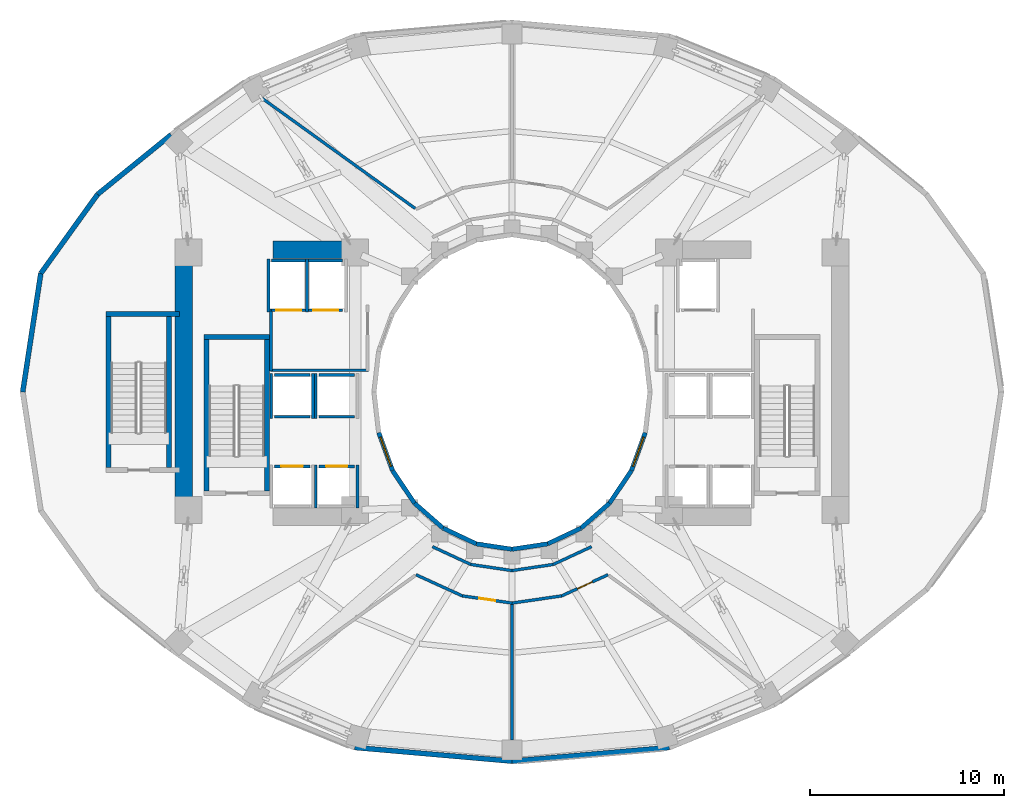
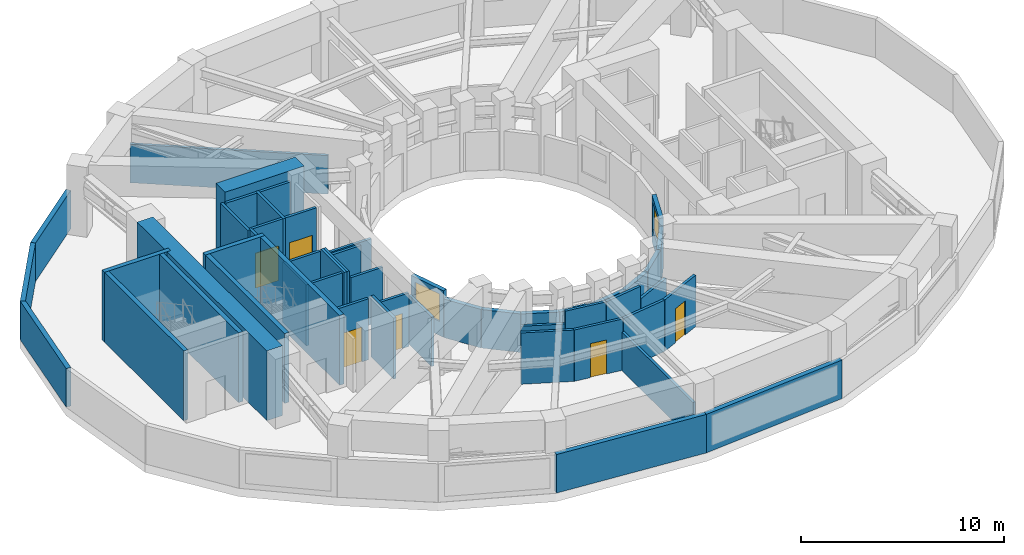
# One storey, part 4 of 10: 52 walls, 6 doors, 2 windows, 8 openings.
"""IFC4 building model written with IfcOpenShell, lengths in metres."""

from ifc_helpers import new_model, si_unit, direction, frame, frame_2d, origin, place, context, subcontext, project, spatial, rectangle, extrude, material, layer, layer_set, type_object, element, fill, save


model = new_model("IFC4")

# Units and contexts
model_context = context("Model", 3, precision=1e-05, world=origin(), true_north=direction((0.0, 1.0)))
body_context = subcontext(model_context, "Body", "Model", "MODEL_VIEW")
ifc_project = project(units=[si_unit("LENGTHUNIT", "METRE"), si_unit("AREAUNIT", "SQUARE_METRE"), si_unit("VOLUMEUNIT", "CUBIC_METRE"), si_unit("PLANEANGLEUNIT", "RADIAN"), si_unit("MASSUNIT", "GRAM", prefix="KILO")], contexts=[model_context])

# Site, building, storey
site_placement = place(None, origin())
site = spatial("IfcSite", under=ifc_project, at=site_placement, CompositionType="ELEMENT")
building_placement = place(site_placement, origin())
building = spatial("IfcBuilding", under=site, at=building_placement, Name="Solvane Sanctuary Tower", CompositionType="ELEMENT")
storey_placement = place(building_placement, frame((0.0, 0.0, 64.800048828125)))
storey = spatial("IfcBuildingStorey", under=building, at=storey_placement, Name="L19", CompositionType="ELEMENT", Elevation=64.800048828125)

# Walls
ifc_material_1 = material(Name="Concrete C70/85", Category="concrete")
ifc_layer_1 = layer(ifc_material_1, 0.89990234375, Name="Concrete C70/85")
ifc_layer_set_1 = layer_set([ifc_layer_1], Name="Concrete C70/85")
wall_type_1 = type_object("IfcWallType", Name="Wall W-CORE-900", PredefinedType="SHEAR", material=ifc_layer_set_1)
wall_1_placement = place(storey_placement, frame((15.050048828125, 17.050048828125, 0.0), z_axis=(0.0, 0.0, 1.0), x_axis=(0.0, 1.0, 0.0)))
element("IfcWall", 1, at=wall_1_placement, inside=storey, type_object=wall_type_1, Name="L19 Core Shear Wall WC-W", PredefinedType="SHEAR", context=body_context, shape_type="SweptSolid", body=[
    extrude(rectangle(XDim=12.800048828125, YDim=0.89990234375, at=frame_2d((6.39990234375, 0.0))), origin(), (0.0, 0.0, 1.0), 4.199951171875),
])
wall_2_placement = place(storey_placement, frame((19.64990234375, 30.35009765625, 0.0), z_axis=(0.0, 0.0, 1.0), x_axis=(1.0, 0.0, 0.0)))
element("IfcWall", 2, at=wall_2_placement, inside=storey, type_object=wall_type_1, Name="L19 Core Shear Wall WC-N", PredefinedType="SHEAR", context=body_context, shape_type="SweptSolid", body=[
    extrude(rectangle(XDim=4.5, YDim=0.89990234375, at=frame_2d((2.25, 0.0))), origin(), (0.0, 0.0, 1.0), 4.199951171875),
])
ifc_material_2 = material(Name="Acoustic Gypsum Partition Board")
ifc_layer_2 = layer(ifc_material_2, 0.14990234375, Name="Acoustic Gypsum Partition Board")
ifc_layer_set_2 = layer_set([ifc_layer_2], Name="Acoustic Gypsum Partition Board")
wall_type_2 = type_object("IfcWallType", Name="Wall W-CORR-150", PredefinedType="PARTITIONING", material=ifc_layer_set_2)
wall_3_placement = place(storey_placement, frame((19.52001953125, 24.1201171875, 0.0), z_axis=(0.0, 0.0, 1.0), x_axis=(1.0, 0.0, 0.0)))
element("IfcWall", 3, at=wall_3_placement, inside=storey, type_object=wall_type_2, Name="L19 West Firefighting Lobby South Wall", PredefinedType="PARTITIONING", context=body_context, shape_type="SweptSolid", body=[
    extrude(rectangle(XDim=5.080078125, YDim=0.14990234375, at=frame_2d((2.5400390625, 0.0))), origin(), (0.0, 0.0, 1.0), 3.219970703125),
])
wall_4_placement = place(storey_placement, frame((19.550048828125, 24.080078125, 0.0), z_axis=(0.0, 0.0, 1.0), x_axis=(0.0, 1.0, 0.0)))
element("IfcWall", 4, at=wall_4_placement, inside=storey, type_object=wall_type_2, Name="L19 West Firefighting Lobby West Wall", PredefinedType="PARTITIONING", context=body_context, shape_type="SweptSolid", body=[
    extrude(rectangle(XDim=3.199951171875, YDim=0.14990234375, at=frame_2d((1.60009765625, 0.0))), origin(), (0.0, 0.0, 1.0), 3.675048828125),
])
wall_5_placement = place(storey_placement, frame((27.889892578125, 15.01513671875, 0.0), z_axis=(0.0, 0.0, 1.0), x_axis=(0.906943449489, -0.421252393975, 0.0)))
element("IfcWall", 5, at=wall_5_placement, inside=storey, type_object=wall_type_2, Name="L19 Light-Well Corridor Rim Wall S1", PredefinedType="PARTITIONING", context=body_context, shape_type="SweptSolid", body=[
    extrude(rectangle(XDim=2.18603515625, YDim=0.14990234375, at=frame_2d((1.093017578125, 0.0))), origin(), (0.0, 0.0, 1.0), 2.320068359375),
])
for number, where, z_axis, x_axis, name in (
    (6, (29.87255859375, 14.09423828125, 0.0), (0.0, 0.0, 1.0), (0.989268584896, -0.146108408166, 0.0), "L19 Light-Well Corridor Rim Wall S2"),
    (7, (32.0, 13.780029296875, 0.0), (0.0, 0.0, 1.0), (0.989268584896, 0.146108408166, 0.0), "L19 Light-Well Corridor Rim Wall S3"),
):
    element("IfcWall", number, at=place(storey_placement, frame(where, z_axis=z_axis, x_axis=x_axis)), inside=storey, type_object=wall_type_2, Name=name, PredefinedType="PARTITIONING", context=body_context, shape_type="SweptSolid", body=[
        extrude(rectangle(XDim=2.150634765625, YDim=0.14990234375, at=frame_2d((1.0751953125, 0.0))), origin(), (0.0, 0.0, 1.0), 3.092041015625),
    ])
wall_6_placement = place(storey_placement, frame((34.12744140625, 14.09423828125, 0.0), z_axis=(0.0, 0.0, 1.0), x_axis=(0.906943449489, 0.421252393975, 0.0)))
element("IfcWall", 8, at=wall_6_placement, inside=storey, type_object=wall_type_2, Name="L19 Light-Well Corridor Rim Wall S4", PredefinedType="PARTITIONING", context=body_context, shape_type="SweptSolid", body=[
    extrude(rectangle(XDim=2.18603515625, YDim=0.14990234375, at=frame_2d((1.093017578125, 0.0))), origin(), (0.0, 0.0, 1.0), 2.320068359375),
])
wall_7_placement = place(storey_placement, frame((27.00537109375, 32.4716796875, 0.0), z_axis=(0.0, 0.0, 1.0), x_axis=(-0.811691742112, 0.584086051697, 0.0)))
element("IfcWall", 9, at=wall_7_placement, inside=storey, type_object=wall_type_2, Name="L19 Mechanical Plant Radial Wall 120", PredefinedType="PARTITIONING", context=body_context, shape_type="SweptSolid", body=[
    extrude(rectangle(XDim=9.824462890625, YDim=0.14990234375, at=frame_2d((4.912109375, 0.0))), origin(), (0.0, 0.0, 1.0), 2.320068359375),
])
wall_8_placement = place(storey_placement, frame((32.0, 12.044921875, 0.0), z_axis=(0.0, 0.0, 1.0), x_axis=(0.0, -1.0, 0.0)))
element("IfcWall", 10, at=wall_8_placement, inside=storey, type_object=wall_type_2, Name="L19 Mechanical Plant Radial Wall 270", PredefinedType="PARTITIONING", context=body_context, shape_type="SweptSolid", body=[
    extrude(rectangle(XDim=7.02001953125, YDim=0.14990234375, at=frame_2d((3.510009765625, 0.0))), origin(), (0.0, 0.0, 1.0), 2.320068359375),
])
wall_9_placement = place(storey_placement, frame((27.0439453125, 13.564208984375, 0.0), z_axis=(0.0, 0.0, 1.0), x_axis=(0.909736731002, -0.415185597373, 0.0)))
element("IfcWall", 11, at=wall_9_placement, inside=storey, type_object=wall_type_2, Name="L19 Plant Corridor Wall 3", PredefinedType="PARTITIONING", context=body_context, shape_type="SweptSolid", body=[
    extrude(rectangle(XDim=2.63330078125, YDim=0.14990234375, at=frame_2d((1.316650390625, 0.0))), origin(), (0.0, 0.0, 1.0), 3.092041015625),
])

# Wall, opening, door
wall_10_placement = place(storey_placement, frame((29.43603515625, 12.471923828125, 0.0), z_axis=(0.0, 0.0, 1.0), x_axis=(0.989701742337, -0.143144895876, 0.0)))
wall_10 = element("IfcWall", 12, at=wall_10_placement, inside=storey, type_object=wall_type_2, Name="L19 Plant Corridor Wall 3", PredefinedType="PARTITIONING", context=body_context, shape_type="SweptSolid", body=[
    extrude(rectangle(XDim=2.59765625, YDim=0.14990234375, at=frame_2d((1.298828125, 0.0))), origin(), (0.0, 0.0, 1.0), 3.092041015625),
])
opening_1_placement = place(wall_10_placement, frame((0.873779296875, 0.0, 0.0)))
opening_1 = element("IfcOpeningElement", 13, at=opening_1_placement, cuts=wall_10, Name="Opening D-L19-08", PredefinedType="OPENING", context=body_context, shape_type="SweptSolid", body=[
    extrude(rectangle(XDim=0.85009765625, YDim=2.050048828125, at=frame_2d((0.425048828125, 1.02490234375))), frame((0.0, 0.0849609375, 0.0), z_axis=(0.0, -1.0, 0.0), x_axis=(1.0, 0.0, 0.0)), (0.0, 0.0, 1.0), 0.169921875),
])
ifc_material_3 = material(Name="Architectural Stainless Steel 316", Category="steel")
door_type_1 = type_object("IfcDoorType", Name="Door D-RISER", OperationType="NOTDEFINED", PredefinedType="DOOR", material=ifc_material_3)
door_1_placement = place(opening_1_placement, origin())
door_1 = element("IfcDoor", 14, at=door_1_placement, inside=storey, type_object=door_type_1, Name="L19 Plant Room Door 3", OperationType="SINGLE_SWING_LEFT", OverallHeight=2.050048828125, OverallWidth=0.85009765625, PredefinedType="DOOR", context=body_context, shape_type="SweptSolid", body=[
    extrude(rectangle(XDim=0.85009765625, YDim=2.050048828125, at=frame_2d((0.425048828125, 1.02490234375))), frame((0.0, 0.02490234375, 0.0), z_axis=(0.0, -1.0, 0.0), x_axis=(1.0, 0.0, 0.0)), (0.0, 0.0, 1.0), 0.050048828125),
])
fill(opening_1, door_1)

# Wall
wall_11_placement = place(storey_placement, frame((31.9931640625, 12.10009765625, 0.0), z_axis=(0.0, 0.0, 1.0), x_axis=(0.989701742337, 0.143144895876, 0.0)))
element("IfcWall", 15, at=wall_11_placement, inside=storey, type_object=wall_type_2, Name="L19 Plant Corridor Wall 4", PredefinedType="PARTITIONING", context=body_context, shape_type="SweptSolid", body=[
    extrude(rectangle(XDim=2.59765625, YDim=0.14990234375, at=frame_2d((1.298828125, 0.0))), origin(), (0.0, 0.0, 1.0), 3.092041015625),
])

# Wall, opening, door
wall_12_placement = place(storey_placement, frame((34.560546875, 12.470947265625, 0.0), z_axis=(0.0, 0.0, 1.0), x_axis=(0.909736731002, 0.415185597373, 0.0)))
wall_12 = element("IfcWall", 16, at=wall_12_placement, inside=storey, type_object=wall_type_2, Name="L19 Plant Corridor Wall 4", PredefinedType="PARTITIONING", context=body_context, shape_type="SweptSolid", body=[
    extrude(rectangle(XDim=2.63330078125, YDim=0.14990234375, at=frame_2d((1.316650390625, 0.0))), origin(), (0.0, 0.0, 1.0), 3.092041015625),
])
opening_2_placement = place(wall_12_placement, frame((0.8916015625, 0.0, 0.0)))
opening_2 = element("IfcOpeningElement", 17, at=opening_2_placement, cuts=wall_12, Name="Opening D-L19-09", PredefinedType="OPENING", context=body_context, shape_type="SweptSolid", body=[
    extrude(rectangle(XDim=0.85009765625, YDim=2.050048828125, at=frame_2d((0.425048828125, 1.02490234375))), frame((0.0, 0.0849609375, 0.0), z_axis=(0.0, -1.0, 0.0), x_axis=(1.0, 0.0, 0.0)), (0.0, 0.0, 1.0), 0.169921875),
])
door_2_placement = place(opening_2_placement, origin())
door_2 = element("IfcDoor", 18, at=door_2_placement, inside=storey, type_object=door_type_1, Name="L19 Plant Room Door 4", OperationType="SINGLE_SWING_RIGHT", OverallHeight=2.050048828125, OverallWidth=0.85009765625, PredefinedType="DOOR", context=body_context, shape_type="SweptSolid", body=[
    extrude(rectangle(XDim=0.85009765625, YDim=2.050048828125, at=frame_2d((0.425048828125, 1.02490234375))), frame((0.0, 0.02490234375, 0.0), z_axis=(0.0, -1.0, 0.0), x_axis=(1.0, 0.0, 0.0)), (0.0, 0.0, 1.0), 0.050048828125),
])
fill(opening_2, door_2)

# Walls
ifc_material_4 = material(Name="Precast concrete C40/50", Category="concrete")
ifc_layer_3 = layer(ifc_material_4, 0.260009765625, Name="Precast concrete C40/50")
ifc_layer_set_3 = layer_set([ifc_layer_3], Name="Precast concrete C40/50")
wall_type_3 = type_object("IfcWallType", Name="Wall W-EXT-250", PredefinedType="STANDARD", material=ifc_layer_set_3)
wall_13_placement = place(storey_placement, frame((14.40087890625, 36.279296875, 0.0), z_axis=(0.0, 0.0, 1.0), x_axis=(-0.777097920144, -0.6293797125, 0.0)))
element("IfcWall", 19, at=wall_13_placement, inside=storey, type_object=wall_type_3, Name="L19 Mechanical Plant Perimeter Wall 09", PredefinedType="STANDARD", context=body_context, shape_type="SweptSolid", body=[
    extrude(rectangle(XDim=4.87548828125, YDim=0.260009765625, at=frame_2d((2.437744140625, 0.0))), origin(), (0.0, 0.0, 1.0), 2.320068359375),
])
wall_14_placement = place(storey_placement, frame((10.612060546875, 33.210693359375, 0.0), z_axis=(0.0, 0.0, 1.0), x_axis=(-0.58386496218, -0.81185079044, 0.0)))
element("IfcWall", 20, at=wall_14_placement, inside=storey, type_object=wall_type_3, Name="L19 Mechanical Plant Perimeter Wall 10", PredefinedType="STANDARD", context=body_context, shape_type="SweptSolid", body=[
    extrude(rectangle(XDim=5.031982421875, YDim=0.260009765625, at=frame_2d((2.51611328125, 0.0))), origin(), (0.0, 0.0, 1.0), 2.320068359375),
])
wall_15_placement = place(storey_placement, frame((7.674072265625, 29.12548828125, 0.0), z_axis=(0.0, 0.0, 1.0), x_axis=(-0.150748389741, -0.988572163775, 0.0)))
element("IfcWall", 21, at=wall_15_placement, inside=storey, type_object=wall_type_3, Name="L19 Mechanical Plant Perimeter Wall 11", PredefinedType="STANDARD", context=body_context, shape_type="SweptSolid", body=[
    extrude(rectangle(XDim=6.1962890625, YDim=0.260009765625, at=frame_2d((3.09814453125, 0.0))), origin(), (0.0, 0.0, 1.0), 2.320068359375),
])
for number, where, z_axis, x_axis, name in (
    (22, (23.882080078125, 4.644775390625, 0.0), (0.0, 0.0, 1.0), (0.996251934676, -0.086499032673, 0.0), "L19 Mechanical Plant Perimeter Wall 17"),
    (23, (32.0, 3.93994140625, 0.0), (0.0, 0.0, 1.0), (0.996251934676, 0.086499032673, 0.0), "L19 Mechanical Plant Perimeter Wall 18"),
):
    element("IfcWall", number, at=place(storey_placement, frame(where, z_axis=z_axis, x_axis=x_axis)), inside=storey, type_object=wall_type_3, Name=name, PredefinedType="STANDARD", context=body_context, shape_type="SweptSolid", body=[
        extrude(rectangle(XDim=8.1484375, YDim=0.260009765625, at=frame_2d((4.07421875, 0.0))), origin(), (0.0, 0.0, 1.0), 2.320068359375),
    ])

# Wall, opening, window
ifc_layer_4 = layer(ifc_material_4, 0.22998046875, Name="Precast concrete C40/50")
ifc_layer_set_4 = layer_set([ifc_layer_4], Name="Precast concrete C40/50")
wall_type_4 = type_object("IfcWallType", Name="Wall W-EXT-SP220", PredefinedType="STANDARD", material=ifc_layer_set_4)
wall_16_placement = place(storey_placement, frame((25.12255859375, 20.8984375, 0.0), z_axis=(0.0, 0.0, 1.0), x_axis=(0.341423187295, -0.93990968033, 0.0)))
wall_16 = element("IfcWall", 24, at=wall_16_placement, inside=storey, type_object=wall_type_4, Name="L19 Central Light-Well Wall 13", PredefinedType="STANDARD", context=body_context, shape_type="SweptSolid", body=[
    extrude(rectangle(XDim=2.083740234375, YDim=0.22998046875, at=frame_2d((1.0419921875, 0.0))), origin(), (0.0, 0.0, 1.0), 2.800048828125),
])
opening_3_placement = place(wall_16_placement, frame((0.24169921875, 0.0, 0.85009765625)))
opening_3 = element("IfcOpeningElement", 25, at=opening_3_placement, cuts=wall_16, Name="Opening WN-WELL-1600", PredefinedType="OPENING", context=body_context, shape_type="SweptSolid", body=[
    extrude(rectangle(XDim=1.60009765625, YDim=1.64990234375, at=frame_2d((0.800048828125, 0.824951171875))), frame((0.0, 0.125, 0.0), z_axis=(0.0, -1.0, 0.0), x_axis=(1.0, 0.0, 0.0)), (0.0, 0.0, 1.0), 0.25),
])
ifc_material_5 = material(Name="Clear Laminated Light-Well Glass", Category="glass")
window_type = type_object("IfcWindowType", Name="Window WN-WELL-1600", PartitioningType="SINGLE_PANEL", PredefinedType="WINDOW", material=ifc_material_5)
window_1_placement = place(opening_3_placement, origin())
window_1 = element("IfcWindow", 26, at=window_1_placement, inside=storey, type_object=window_type, Name="L19 Light-Well Daylight Window 13", OverallHeight=1.64990234375, OverallWidth=1.60009765625, PartitioningType="SINGLE_PANEL", PredefinedType="WINDOW", context=body_context, shape_type="SweptSolid", body=[
    extrude(rectangle(XDim=1.60009765625, YDim=1.64990234375, at=frame_2d((0.800048828125, 0.824951171875))), frame((0.0, 0.030029296875, 0.0), z_axis=(0.0, -1.0, 0.0), x_axis=(1.0, 0.0, 0.0)), (0.0, 0.0, 1.0), 0.06005859375),
])
fill(opening_3, window_1)

# Walls
wall_17_placement = place(storey_placement, frame((25.833984375, 18.93994140625, 0.0), z_axis=(0.0, 0.0, 1.0), x_axis=(0.558197800898, -0.829707909492, 0.0)))
element("IfcWall", 27, at=wall_17_placement, inside=storey, type_object=wall_type_4, Name="L19 Central Light-Well Wall 14", PredefinedType="STANDARD", context=body_context, shape_type="SweptSolid", body=[
    extrude(rectangle(XDim=2.02685546875, YDim=0.22998046875, at=frame_2d((1.013427734375, 0.0))), origin(), (0.0, 0.0, 1.0), 2.320068359375),
])
wall_18_placement = place(storey_placement, frame((26.96533203125, 17.25830078125, 0.0), z_axis=(0.0, 0.0, 1.0), x_axis=(0.752576694707, -0.658504607869, 0.0)))
element("IfcWall", 28, at=wall_18_placement, inside=storey, type_object=wall_type_4, Name="L19 Central Light-Well Wall 15", PredefinedType="STANDARD", context=body_context, shape_type="SweptSolid", body=[
    extrude(rectangle(XDim=1.95947265625, YDim=0.22998046875, at=frame_2d((0.979736328125, 0.0))), origin(), (0.0, 0.0, 1.0), 2.320068359375),
])
wall_19_placement = place(storey_placement, frame((28.43994140625, 15.968017578125, 0.0), z_axis=(0.0, 0.0, 1.0), x_axis=(0.904179699603, -0.427152280606, 0.0)))
element("IfcWall", 29, at=wall_19_placement, inside=storey, type_object=wall_type_4, Name="L19 Central Light-Well Wall 16", PredefinedType="STANDARD", context=body_context, shape_type="SweptSolid", body=[
    extrude(rectangle(XDim=1.899169921875, YDim=0.22998046875, at=frame_2d((0.94970703125, 0.0))), origin(), (0.0, 0.0, 1.0), 2.320068359375),
])
for number, where, z_axis, x_axis, name in (
    (30, (30.1572265625, 15.15673828125, 0.0), (0.0, 0.0, 1.0), (0.988901730308, -0.148571086668, 0.0), "L19 Central Light-Well Wall 17"),
    (31, (32.0, 14.8798828125, 0.0), (0.0, 0.0, 1.0), (0.988901730308, 0.148571086668, 0.0), "L19 Central Light-Well Wall 18"),
):
    element("IfcWall", number, at=place(storey_placement, frame(where, z_axis=z_axis, x_axis=x_axis)), inside=storey, type_object=wall_type_4, Name=name, PredefinedType="STANDARD", context=body_context, shape_type="SweptSolid", body=[
        extrude(rectangle(XDim=1.863525390625, YDim=0.22998046875, at=frame_2d((0.931640625, 0.0))), origin(), (0.0, 0.0, 1.0), 2.320068359375),
    ])
wall_20_placement = place(storey_placement, frame((33.8427734375, 15.15673828125, 0.0), z_axis=(0.0, 0.0, 1.0), x_axis=(0.904179699603, 0.427152280606, 0.0)))
element("IfcWall", 32, at=wall_20_placement, inside=storey, type_object=wall_type_4, Name="L19 Central Light-Well Wall 19", PredefinedType="STANDARD", context=body_context, shape_type="SweptSolid", body=[
    extrude(rectangle(XDim=1.899169921875, YDim=0.22998046875, at=frame_2d((0.94970703125, 0.0))), origin(), (0.0, 0.0, 1.0), 2.320068359375),
])
wall_21_placement = place(storey_placement, frame((35.56005859375, 15.968017578125, 0.0), z_axis=(0.0, 0.0, 1.0), x_axis=(0.752576694707, 0.658504607869, 0.0)))
element("IfcWall", 33, at=wall_21_placement, inside=storey, type_object=wall_type_4, Name="L19 Central Light-Well Wall 20", PredefinedType="STANDARD", context=body_context, shape_type="SweptSolid", body=[
    extrude(rectangle(XDim=1.95947265625, YDim=0.22998046875, at=frame_2d((0.979736328125, 0.0))), origin(), (0.0, 0.0, 1.0), 2.320068359375),
])
wall_22_placement = place(storey_placement, frame((37.03466796875, 17.25830078125, 0.0), z_axis=(0.0, 0.0, 1.0), x_axis=(0.558197800898, 0.829707909492, 0.0)))
element("IfcWall", 34, at=wall_22_placement, inside=storey, type_object=wall_type_4, Name="L19 Central Light-Well Wall 21", PredefinedType="STANDARD", context=body_context, shape_type="SweptSolid", body=[
    extrude(rectangle(XDim=2.02685546875, YDim=0.22998046875, at=frame_2d((1.013427734375, 0.0))), origin(), (0.0, 0.0, 1.0), 2.320068359375),
])

# Wall, opening, window
wall_23_placement = place(storey_placement, frame((38.166015625, 18.93994140625, 0.0), z_axis=(0.0, 0.0, 1.0), x_axis=(0.341423187295, 0.93990968033, 0.0)))
wall_23 = element("IfcWall", 35, at=wall_23_placement, inside=storey, type_object=wall_type_4, Name="L19 Central Light-Well Wall 22", PredefinedType="STANDARD", context=body_context, shape_type="SweptSolid", body=[
    extrude(rectangle(XDim=2.083740234375, YDim=0.22998046875, at=frame_2d((1.0419921875, 0.0))), origin(), (0.0, 0.0, 1.0), 2.800048828125),
])
opening_4_placement = place(wall_23_placement, frame((0.24169921875, 0.0, 0.85009765625)))
opening_4 = element("IfcOpeningElement", 36, at=opening_4_placement, cuts=wall_23, Name="Opening WN-WELL-1600", PredefinedType="OPENING", context=body_context, shape_type="SweptSolid", body=[
    extrude(rectangle(XDim=1.60009765625, YDim=1.64990234375, at=frame_2d((0.800048828125, 0.824951171875))), frame((0.0, 0.125, 0.0), z_axis=(0.0, -1.0, 0.0), x_axis=(1.0, 0.0, 0.0)), (0.0, 0.0, 1.0), 0.25),
])
window_2_placement = place(opening_4_placement, origin())
window_2 = element("IfcWindow", 37, at=window_2_placement, inside=storey, type_object=window_type, Name="L19 Light-Well Daylight Window 22", OverallHeight=1.64990234375, OverallWidth=1.60009765625, PartitioningType="SINGLE_PANEL", PredefinedType="WINDOW", context=body_context, shape_type="SweptSolid", body=[
    extrude(rectangle(XDim=1.60009765625, YDim=1.64990234375, at=frame_2d((0.800048828125, 0.824951171875))), frame((0.0, 0.030029296875, 0.0), z_axis=(0.0, -1.0, 0.0), x_axis=(1.0, 0.0, 0.0)), (0.0, 0.0, 1.0), 0.06005859375),
])
fill(opening_4, window_2)

# Wall, opening, door
ifc_material_6 = material(Name="Concrete C50/60", Category="concrete")
ifc_layer_5 = layer(ifc_material_6, 0.14990234375, Name="Concrete C50/60")
ifc_layer_set_5 = layer_set([ifc_layer_5], Name="Concrete C50/60")
wall_type_5 = type_object("IfcWallType", Name="Wall W-SHAFT-150", PredefinedType="SOLIDWALL", material=ifc_layer_set_5)
wall_24_placement = place(storey_placement, frame((19.739990234375, 19.159912109375, 0.0), z_axis=(0.0, 0.0, 1.0), x_axis=(1.0, 0.0, 0.0)))
wall_24 = element("IfcWall", 38, at=wall_24_placement, inside=storey, type_object=wall_type_5, Name="L19 PL-1 Lift Shaft Wall F", PredefinedType="SOLIDWALL", context=body_context, shape_type="SweptSolid", body=[
    extrude(rectangle(XDim=1.820068359375, YDim=0.14990234375, at=frame_2d((0.91015625, 0.0))), origin(), (0.0, 0.0, 1.0), 3.675048828125),
])
opening_5_placement = place(wall_24_placement, frame((0.360107421875, 0.0, 0.0)))
opening_5 = element("IfcOpeningElement", 39, at=opening_5_placement, cuts=wall_24, Name="Opening LD-L19-01", PredefinedType="OPENING", context=body_context, shape_type="SweptSolid", body=[
    extrude(rectangle(XDim=1.10009765625, YDim=2.10009765625, at=frame_2d((0.550048828125, 1.050048828125))), frame((0.0, 0.0849609375, 0.0), z_axis=(0.0, -1.0, 0.0), x_axis=(1.0, 0.0, 0.0)), (0.0, 0.0, 1.0), 0.169921875),
])
door_type_2 = type_object("IfcDoorType", Name="Door LD-PASS-1100", OperationType="NOTDEFINED", PredefinedType="DOOR", material=ifc_material_3)
door_3_placement = place(opening_5_placement, origin())
door_3 = element("IfcDoor", 40, at=door_3_placement, inside=storey, type_object=door_type_2, Name="L19 PL-1 Lift Landing Door", OperationType="DOUBLE_DOOR_SLIDING", OverallHeight=2.10009765625, OverallWidth=1.10009765625, PredefinedType="DOOR", context=body_context, shape_type="SweptSolid", body=[
    extrude(rectangle(XDim=1.10009765625, YDim=2.10009765625, at=frame_2d((0.550048828125, 1.050048828125))), frame((0.0, 0.02490234375, 0.0), z_axis=(0.0, -1.0, 0.0), x_axis=(1.0, 0.0, 0.0)), (0.0, 0.0, 1.0), 0.050048828125),
])
fill(opening_5, door_3)

wall_25_placement = place(storey_placement, frame((22.0400390625, 19.159912109375, 0.0), z_axis=(0.0, 0.0, 1.0), x_axis=(1.0, 0.0, 0.0)))
wall_25 = element("IfcWall", 41, at=wall_25_placement, inside=storey, type_object=wall_type_5, Name="L19 PL-2 Lift Shaft Wall F", PredefinedType="SOLIDWALL", context=body_context, shape_type="SweptSolid", body=[
    extrude(rectangle(XDim=1.820068359375, YDim=0.14990234375, at=frame_2d((0.91015625, 0.0))), origin(), (0.0, 0.0, 1.0), 3.219970703125),
])
opening_6_placement = place(wall_25_placement, frame((0.360107421875, 0.0, 0.0)))
opening_6 = element("IfcOpeningElement", 42, at=opening_6_placement, cuts=wall_25, Name="Opening LD-L19-02", PredefinedType="OPENING", context=body_context, shape_type="SweptSolid", body=[
    extrude(rectangle(XDim=1.10009765625, YDim=2.10009765625, at=frame_2d((0.550048828125, 1.050048828125))), frame((0.0, 0.0849609375, 0.0), z_axis=(0.0, -1.0, 0.0), x_axis=(1.0, 0.0, 0.0)), (0.0, 0.0, 1.0), 0.169921875),
])
door_4_placement = place(opening_6_placement, origin())
door_4 = element("IfcDoor", 43, at=door_4_placement, inside=storey, type_object=door_type_2, Name="L19 PL-2 Lift Landing Door", OperationType="DOUBLE_DOOR_SLIDING", OverallHeight=2.10009765625, OverallWidth=1.10009765625, PredefinedType="DOOR", context=body_context, shape_type="SweptSolid", body=[
    extrude(rectangle(XDim=1.10009765625, YDim=2.10009765625, at=frame_2d((0.550048828125, 1.050048828125))), frame((0.0, 0.02490234375, 0.0), z_axis=(0.0, -1.0, 0.0), x_axis=(1.0, 0.0, 0.0)), (0.0, 0.0, 1.0), 0.050048828125),
])
fill(opening_6, door_4)

# Walls
wall_26_placement = place(storey_placement, frame((21.8701171875, 17.02001953125, 0.0), z_axis=(0.0, 0.0, 1.0), x_axis=(0.0, 1.0, 0.0)))
element("IfcWall", 44, at=wall_26_placement, inside=storey, type_object=wall_type_5, Name="L19 PL-2 Lift Shaft Wall S1", PredefinedType="SOLIDWALL", context=body_context, shape_type="SweptSolid", body=[
    extrude(rectangle(XDim=2.219970703125, YDim=0.14990234375, at=frame_2d((1.10986328125, 0.0))), origin(), (0.0, 0.0, 1.0), 3.675048828125),
])
wall_27_placement = place(storey_placement, frame((24.030029296875, 17.02001953125, 0.0), z_axis=(0.0, 0.0, 1.0), x_axis=(0.0, 1.0, 0.0)))
element("IfcWall", 45, at=wall_27_placement, inside=storey, type_object=wall_type_5, Name="L19 PL-2 Lift Shaft Wall S2", PredefinedType="SOLIDWALL", context=body_context, shape_type="SweptSolid", body=[
    extrude(rectangle(XDim=2.219970703125, YDim=0.14990234375, at=frame_2d((1.10986328125, 0.0))), origin(), (0.0, 0.0, 1.0), 2.972900390625),
])
for number, where, z_axis, x_axis, name in (
    (46, (19.739990234375, 21.719970703125, 0.0), (0.0, 0.0, 1.0), (1.0, 0.0, 0.0), "L19 PM-1 Lift Shaft Wall F"),
    (47, (19.739990234375, 23.8798828125, 0.0), (0.0, 0.0, 1.0), (1.0, 0.0, 0.0), "L19 PM-1 Lift Shaft Wall B"),
):
    element("IfcWall", number, at=place(storey_placement, frame(where, z_axis=z_axis, x_axis=x_axis)), inside=storey, type_object=wall_type_5, Name=name, PredefinedType="SOLIDWALL", context=body_context, shape_type="SweptSolid", body=[
        extrude(rectangle(XDim=1.820068359375, YDim=0.14990234375, at=frame_2d((0.91015625, 0.0))), origin(), (0.0, 0.0, 1.0), 3.675048828125),
    ])
for number, where, z_axis, x_axis, name in (
    (48, (19.570068359375, 21.639892578125, 0.0), (0.0, 0.0, 1.0), (0.0, 1.0, 0.0), "L19 PM-1 Lift Shaft Wall S1"),
    (49, (21.72998046875, 21.639892578125, 0.0), (0.0, 0.0, 1.0), (0.0, 1.0, 0.0), "L19 PM-1 Lift Shaft Wall S2"),
):
    element("IfcWall", number, at=place(storey_placement, frame(where, z_axis=z_axis, x_axis=x_axis)), inside=storey, type_object=wall_type_5, Name=name, PredefinedType="SOLIDWALL", context=body_context, shape_type="SweptSolid", body=[
        extrude(rectangle(XDim=2.320068359375, YDim=0.14990234375, at=frame_2d((1.16015625, 0.0))), origin(), (0.0, 0.0, 1.0), 3.675048828125),
    ])
for number, where, z_axis, x_axis, name in (
    (50, (22.0400390625, 21.719970703125, 0.0), (0.0, 0.0, 1.0), (1.0, 0.0, 0.0), "L19 PH-1 Lift Shaft Wall F"),
    (51, (22.0400390625, 23.8798828125, 0.0), (0.0, 0.0, 1.0), (1.0, 0.0, 0.0), "L19 PH-1 Lift Shaft Wall B"),
):
    element("IfcWall", number, at=place(storey_placement, frame(where, z_axis=z_axis, x_axis=x_axis)), inside=storey, type_object=wall_type_5, Name=name, PredefinedType="SOLIDWALL", context=body_context, shape_type="SweptSolid", body=[
        extrude(rectangle(XDim=1.820068359375, YDim=0.14990234375, at=frame_2d((0.91015625, 0.0))), origin(), (0.0, 0.0, 1.0), 3.219970703125),
    ])
wall_28_placement = place(storey_placement, frame((21.8701171875, 21.639892578125, 0.0), z_axis=(0.0, 0.0, 1.0), x_axis=(0.0, 1.0, 0.0)))
element("IfcWall", 52, at=wall_28_placement, inside=storey, type_object=wall_type_5, Name="L19 PH-1 Lift Shaft Wall S1", PredefinedType="SOLIDWALL", context=body_context, shape_type="SweptSolid", body=[
    extrude(rectangle(XDim=2.320068359375, YDim=0.14990234375, at=frame_2d((1.16015625, 0.0))), origin(), (0.0, 0.0, 1.0), 3.675048828125),
])

# Wall, opening, door
wall_29_placement = place(storey_placement, frame((19.590087890625, 27.219970703125, 0.0), z_axis=(0.0, 0.0, 1.0), x_axis=(1.0, 0.0, 0.0)))
wall_29 = element("IfcWall", 53, at=wall_29_placement, inside=storey, type_object=wall_type_5, Name="L19 FFL-1 Lift Shaft Wall F", PredefinedType="SOLIDWALL", context=body_context, shape_type="SweptSolid", body=[
    extrude(rectangle(XDim=1.760009765625, YDim=0.14990234375, at=frame_2d((0.8798828125, 0.0))), origin(), (0.0, 0.0, 1.0), 3.675048828125),
])
opening_7_placement = place(wall_29_placement, frame((0.22998046875, 0.0, 0.0)))
opening_7 = element("IfcOpeningElement", 54, at=opening_7_placement, cuts=wall_29, Name="Opening LD-L19-05", PredefinedType="OPENING", context=body_context, shape_type="SweptSolid", body=[
    extrude(rectangle(XDim=1.300048828125, YDim=2.10009765625, at=frame_2d((0.64990234375, 1.050048828125))), frame((0.0, 0.0849609375, 0.0), z_axis=(0.0, -1.0, 0.0), x_axis=(1.0, 0.0, 0.0)), (0.0, 0.0, 1.0), 0.169921875),
])
door_type_3 = type_object("IfcDoorType", Name="Door LD-FFL-1300", OperationType="NOTDEFINED", PredefinedType="DOOR", material=ifc_material_3)
door_5_placement = place(opening_7_placement, origin())
door_5 = element("IfcDoor", 55, at=door_5_placement, inside=storey, type_object=door_type_3, Name="L19 FFL-1 Lift Landing Door", OperationType="DOUBLE_DOOR_SLIDING", OverallHeight=2.10009765625, OverallWidth=1.300048828125, PredefinedType="DOOR", context=body_context, shape_type="SweptSolid", body=[
    extrude(rectangle(XDim=1.300048828125, YDim=2.10009765625, at=frame_2d((0.64990234375, 1.050048828125))), frame((0.0, 0.02490234375, 0.0), z_axis=(0.0, -1.0, 0.0), x_axis=(1.0, 0.0, 0.0)), (0.0, 0.0, 1.0), 0.050048828125),
])
fill(opening_7, door_5)

# Walls
wall_30_placement = place(storey_placement, frame((19.590087890625, 29.780029296875, 0.0), z_axis=(0.0, 0.0, 1.0), x_axis=(1.0, 0.0, 0.0)))
element("IfcWall", 56, at=wall_30_placement, inside=storey, type_object=wall_type_5, Name="L19 FFL-1 Lift Shaft Wall B", PredefinedType="SOLIDWALL", context=body_context, shape_type="SweptSolid", body=[
    extrude(rectangle(XDim=1.760009765625, YDim=0.14990234375, at=frame_2d((0.8798828125, 0.0))), origin(), (0.0, 0.0, 1.0), 3.675048828125),
])
for number, where, z_axis, x_axis, name in (
    (57, (19.419921875, 27.139892578125, 0.0), (0.0, 0.0, 1.0), (0.0, 1.0, 0.0), "L19 FFL-1 Lift Shaft Wall S1"),
    (58, (21.425048828125, 27.139892578125, 0.0), (0.0, 0.0, 1.0), (0.0, 1.0, 0.0), "L19 FFL-1 Lift Shaft Wall S2"),
):
    element("IfcWall", number, at=place(storey_placement, frame(where, z_axis=z_axis, x_axis=x_axis)), inside=storey, type_object=wall_type_5, Name=name, PredefinedType="SOLIDWALL", context=body_context, shape_type="SweptSolid", body=[
        extrude(rectangle(XDim=2.72021484375, YDim=0.14990234375, at=frame_2d((1.360107421875, 0.0))), origin(), (0.0, 0.0, 1.0), 3.675048828125),
    ])

# Wall, opening, door
wall_31_placement = place(storey_placement, frame((21.5, 27.219970703125, 0.0), z_axis=(0.0, 0.0, 1.0), x_axis=(1.0, 0.0, 0.0)))
wall_31 = element("IfcWall", 59, at=wall_31_placement, inside=storey, type_object=wall_type_5, Name="L19 SVL-1 Lift Shaft Wall F", PredefinedType="SOLIDWALL", context=body_context, shape_type="SweptSolid", body=[
    extrude(rectangle(XDim=1.760009765625, YDim=0.14990234375, at=frame_2d((0.8798828125, 0.0))), origin(), (0.0, 0.0, 1.0), 3.675048828125),
])
opening_8_placement = place(wall_31_placement, frame((0.22998046875, 0.0, 0.0)))
opening_8 = element("IfcOpeningElement", 60, at=opening_8_placement, cuts=wall_31, Name="Opening LD-L19-06", PredefinedType="OPENING", context=body_context, shape_type="SweptSolid", body=[
    extrude(rectangle(XDim=1.300048828125, YDim=2.10009765625, at=frame_2d((0.64990234375, 1.050048828125))), frame((0.0, 0.0849609375, 0.0), z_axis=(0.0, -1.0, 0.0), x_axis=(1.0, 0.0, 0.0)), (0.0, 0.0, 1.0), 0.169921875),
])
door_6_placement = place(opening_8_placement, origin())
door_6 = element("IfcDoor", 61, at=door_6_placement, inside=storey, type_object=door_type_3, Name="L19 SVL-1 Lift Landing Door", OperationType="DOUBLE_DOOR_SLIDING", OverallHeight=2.10009765625, OverallWidth=1.300048828125, PredefinedType="DOOR", context=body_context, shape_type="SweptSolid", body=[
    extrude(rectangle(XDim=1.300048828125, YDim=2.10009765625, at=frame_2d((0.64990234375, 1.050048828125))), frame((0.0, 0.02490234375, 0.0), z_axis=(0.0, -1.0, 0.0), x_axis=(1.0, 0.0, 0.0)), (0.0, 0.0, 1.0), 0.050048828125),
])
fill(opening_8, door_6)

# Walls
wall_32_placement = place(storey_placement, frame((21.5, 29.780029296875, 0.0), z_axis=(0.0, 0.0, 1.0), x_axis=(1.0, 0.0, 0.0)))
element("IfcWall", 62, at=wall_32_placement, inside=storey, type_object=wall_type_5, Name="L19 SVL-1 Lift Shaft Wall B", PredefinedType="SOLIDWALL", context=body_context, shape_type="SweptSolid", body=[
    extrude(rectangle(XDim=1.760009765625, YDim=0.14990234375, at=frame_2d((0.8798828125, 0.0))), origin(), (0.0, 0.0, 1.0), 3.675048828125),
])
ifc_layer_6 = layer(ifc_material_6, 0.25, Name="Concrete C50/60")
ifc_layer_set_6 = layer_set([ifc_layer_6], Name="Concrete C50/60")
wall_type_6 = type_object("IfcWallType", Name="Wall W-SHAFT-250", PredefinedType="SOLIDWALL", material=ifc_layer_set_6)
wall_33_placement = place(storey_placement, frame((16.10498046875, 25.830078125, 0.0), z_axis=(0.0, 0.0, 1.0), x_axis=(1.0, 0.0, 0.0)))
element("IfcWall", 63, at=wall_33_placement, inside=storey, type_object=wall_type_6, Name="L19 ST-1 Load-Bearing Shaft Wall N", PredefinedType="SOLIDWALL", context=body_context, shape_type="SweptSolid", body=[
    extrude(rectangle(XDim=3.3701171875, YDim=0.25, at=frame_2d((1.68505859375, 0.0))), origin(), (0.0, 0.0, 1.0), 4.199951171875),
])
for number, where, z_axis, x_axis, name in (
    (64, (16.22998046875, 17.89501953125, 0.0), (0.0, 0.0, 1.0), (0.0, 1.0, 0.0), "L19 ST-1 Load-Bearing Shaft Wall W"),
    (65, (19.35009765625, 17.89501953125, 0.0), (0.0, 0.0, 1.0), (0.0, 1.0, 0.0), "L19 ST-1 Load-Bearing Shaft Wall E"),
):
    element("IfcWall", number, at=place(storey_placement, frame(where, z_axis=z_axis, x_axis=x_axis)), inside=storey, type_object=wall_type_6, Name=name, PredefinedType="SOLIDWALL", context=body_context, shape_type="SweptSolid", body=[
        extrude(rectangle(XDim=7.81005859375, YDim=0.25, at=frame_2d((3.905029296875, 0.0))), origin(), (0.0, 0.0, 1.0), 4.199951171875),
    ])
wall_34_placement = place(storey_placement, frame((11.044921875, 27.030029296875, 0.0), z_axis=(0.0, 0.0, 1.0), x_axis=(1.0, 0.0, 0.0)))
element("IfcWall", 66, at=wall_34_placement, inside=storey, type_object=wall_type_6, Name="L19 ST-3 Load-Bearing Shaft Wall N", PredefinedType="SOLIDWALL", context=body_context, shape_type="SweptSolid", body=[
    extrude(rectangle(XDim=3.781982421875, YDim=0.25, at=frame_2d((1.89111328125, 0.0))), origin(), (0.0, 0.0, 1.0), 4.199951171875),
])
for number, where, z_axis, x_axis, name in (
    (67, (11.169921875, 19.094970703125, 0.0), (0.0, 0.0, 1.0), (0.0, 1.0, 0.0), "L19 ST-3 Load-Bearing Shaft Wall W"),
    (68, (14.2900390625, 19.094970703125, 0.0), (0.0, 0.0, 1.0), (0.0, 1.0, 0.0), "L19 ST-3 Load-Bearing Shaft Wall E"),
):
    element("IfcWall", number, at=place(storey_placement, frame(where, z_axis=z_axis, x_axis=x_axis)), inside=storey, type_object=wall_type_6, Name=name, PredefinedType="SOLIDWALL", context=body_context, shape_type="SweptSolid", body=[
        extrude(rectangle(XDim=7.81005859375, YDim=0.25, at=frame_2d((3.905029296875, 0.0))), origin(), (0.0, 0.0, 1.0), 4.199951171875),
    ])

save(model, "model.ifc")
